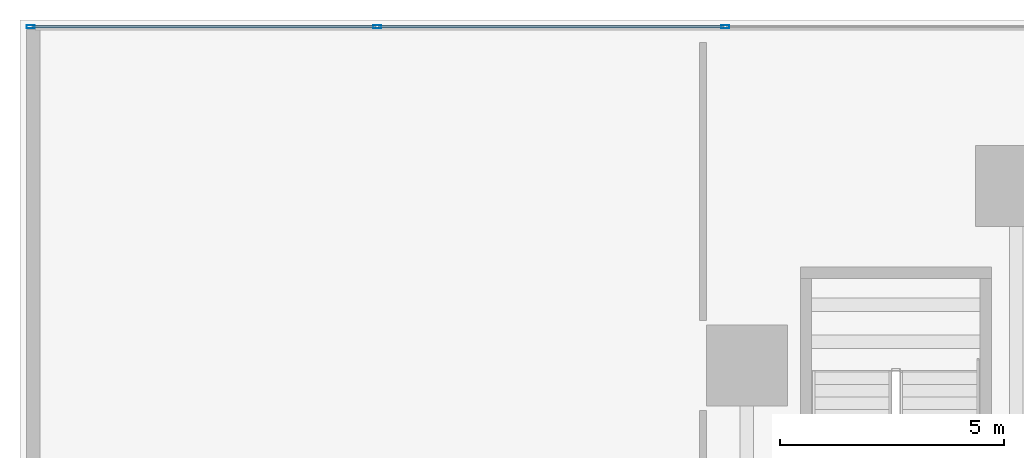
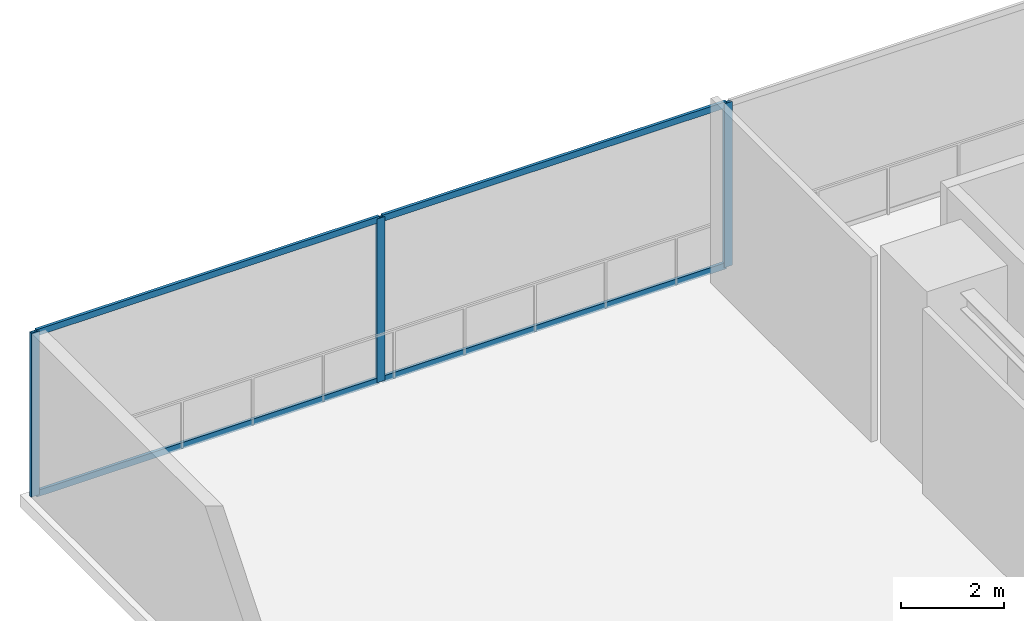
# One storey, part 2 of 17: 7 members, 1 element without a shape of its own.
"""IFC4 building model written with IfcOpenShell, lengths in metres."""

from ifc_helpers import new_model, si_unit, direction, frame, origin, origin_2d, place, context, subcontext, project, spatial, hollow_rectangle, extrude, source, transform, mapped, material, layer, layer_set, material_profile, profile_set, type_object, element, aggregate, save


model = new_model("IFC4")

# Units and contexts
model_context = context("Model", 3, precision=1e-05, world=origin(), true_north=direction((0.0, 1.0)))
body_context = subcontext(model_context, "Body", "Model", "MODEL_VIEW")
ifc_project = project(units=[si_unit("LENGTHUNIT", "METRE"), si_unit("AREAUNIT", "SQUARE_METRE"), si_unit("VOLUMEUNIT", "CUBIC_METRE"), si_unit("PLANEANGLEUNIT", "RADIAN"), si_unit("MASSUNIT", "GRAM", prefix="KILO")], contexts=[model_context])

# Site, building, storey
site_placement = place(None, origin())
site = spatial("IfcSite", under=ifc_project, at=site_placement, CompositionType="ELEMENT")
building_placement = place(site_placement, origin())
building = spatial("IfcBuilding", under=site, at=building_placement, Name="Sumidabori Civic Tower", CompositionType="ELEMENT")
storey_placement = place(building_placement, frame((0.0, 0.0, 5.0)))
storey = spatial("IfcBuildingStorey", under=building, at=storey_placement, Name="L01", CompositionType="ELEMENT", Elevation=5.0)

# Curtain wall, members
ifc_material = material(Name="Anodised Bronze Aluminium AW-6063-T6", Category="aluminium")
ifc_layer = layer(ifc_material, 0.179931640625, Name="Anodised Bronze Aluminium AW-6063-T6")
ifc_layer_set = layer_set([ifc_layer], Name="Anodised Bronze Aluminium AW-6063-T6")
curtain_wall_type = type_object("IfcCurtainWallType", Name="CW-SYS-1", PredefinedType="NOTDEFINED", material=ifc_layer_set)
curtain_wall_placement = place(storey_placement, origin())
curtain_wall = element("IfcCurtainWall", 1, at=curtain_wall_placement, inside=storey, type_object=curtain_wall_type, Name="Curtain Wall CW:L01:NORTH", PredefinedType="NOTDEFINED")
ifc_material_profile_1 = material_profile(ifc_material, hollow_rectangle(XDim=0.070068359375, YDim=0.179931640625, WallThickness=0.006103515625, at=origin_2d()), Name="ALU MULLION 180x70")
ifc_profile_set_1 = profile_set([ifc_material_profile_1], Name="Anodised Bronze Aluminium AW-6063-T6")
member_type_1 = type_object("IfcMemberType", Name="CW-MUL-180", PredefinedType="MULLION", material=ifc_profile_set_1)
shared_shape_1 = source(origin(), body_context, "Body", "SweptSolid", [
    extrude(hollow_rectangle(XDim=0.070068359375, YDim=0.179931640625, WallThickness=0.006103515625, at=origin_2d()), origin(), (0.0, 0.0, 1.0), 3.8701171875),
])
member_1_placement = place(storey_placement, frame((-38.764892578125, 26.35009765625, 0.0), z_axis=(0.0, 0.0, 1.0), x_axis=(0.0, 1.0, 0.0)))
member_1 = element("IfcMember", 2, at=member_1_placement, type_object=member_type_1, Name="CW-1 mullion 1", PredefinedType="MULLION", context=body_context, shape_type="MappedRepresentation", body=[
    mapped(shared_shape_1, transform((0.0, 0.0, 0.0), x_axis=(1.0, 0.0, 0.0), y_axis=(0.0, 1.0, 0.0), z_axis=(0.0, 0.0, 1.0), scale=1.0)),
])
member_2_placement = place(storey_placement, frame((-31.0400390625, 26.35009765625, 0.0), z_axis=(0.0, 0.0, 1.0), x_axis=(0.0, 1.0, 0.0)))
member_2 = element("IfcMember", 3, at=member_2_placement, type_object=member_type_1, Name="CW-1 mullion 2", PredefinedType="MULLION", context=body_context, shape_type="MappedRepresentation", body=[
    mapped(shared_shape_1, transform((0.0, 0.0, 0.0), x_axis=(1.0, 0.0, 0.0), y_axis=(0.0, 1.0, 0.0), z_axis=(0.0, 0.0, 1.0), scale=1.0)),
])
member_3_placement = place(storey_placement, frame((-23.280029296875, 26.35009765625, 0.0), z_axis=(0.0, 0.0, 1.0), x_axis=(0.0, 1.0, 0.0)))
member_3 = element("IfcMember", 4, at=member_3_placement, type_object=member_type_1, Name="CW-1 mullion 3", PredefinedType="MULLION", context=body_context, shape_type="MappedRepresentation", body=[
    mapped(shared_shape_1, transform((0.0, 0.0, 0.0), x_axis=(1.0, 0.0, 0.0), y_axis=(0.0, 1.0, 0.0), z_axis=(0.0, 0.0, 1.0), scale=1.0)),
])
ifc_material_profile_2 = material_profile(ifc_material, hollow_rectangle(XDim=0.06494140625, YDim=0.14990234375, WallThickness=0.0048828125, at=origin_2d()), Name="ALU TRANSOM 150x65")
ifc_profile_set_2 = profile_set([ifc_material_profile_2], Name="Anodised Bronze Aluminium AW-6063-T6")
member_type_2 = type_object("IfcMemberType", Name="CW-TRN-150", PredefinedType="USERDEFINED", material=ifc_profile_set_2)
shared_shape_2 = source(origin(), body_context, "Body", "SweptSolid", [
    extrude(hollow_rectangle(XDim=0.06494140625, YDim=0.14990234375, WallThickness=0.0048828125, at=origin_2d()), origin(), (0.0, 0.0, 1.0), 7.655029296875),
])
member_4_placement = place(storey_placement, frame((-38.72998046875, 26.35009765625, 0.032470703125), z_axis=(1.0, 0.0, 0.0), x_axis=(0.0, 1.0, 0.0)))
member_4 = element("IfcMember", 5, at=member_4_placement, type_object=member_type_2, Name="CW-1 transom 1.1", ObjectType="TRANSOM", PredefinedType="USERDEFINED", context=body_context, shape_type="MappedRepresentation", body=[
    mapped(shared_shape_2, transform((0.0, 0.0, 0.0), x_axis=(1.0, 0.0, 0.0), y_axis=(0.0, 1.0, 0.0), z_axis=(0.0, 0.0, 1.0), scale=1.0)),
])
member_5_placement = place(storey_placement, frame((-38.72998046875, 26.35009765625, 3.83740234375), z_axis=(1.0, 0.0, 0.0), x_axis=(0.0, 1.0, 0.0)))
member_5 = element("IfcMember", 6, at=member_5_placement, type_object=member_type_2, Name="CW-1 transom 1.2", ObjectType="TRANSOM", PredefinedType="USERDEFINED", context=body_context, shape_type="MappedRepresentation", body=[
    mapped(shared_shape_2, transform((0.0, 0.0, 0.0), x_axis=(1.0, 0.0, 0.0), y_axis=(0.0, 1.0, 0.0), z_axis=(0.0, 0.0, 1.0), scale=1.0)),
])
shared_shape_3 = source(origin(), body_context, "Body", "SweptSolid", [
    extrude(hollow_rectangle(XDim=0.06494140625, YDim=0.14990234375, WallThickness=0.0048828125, at=origin_2d()), origin(), (0.0, 0.0, 1.0), 7.68994140625),
])
member_6_placement = place(storey_placement, frame((-31.0048828125, 26.35009765625, 0.032470703125), z_axis=(1.0, 0.0, 0.0), x_axis=(0.0, 1.0, 0.0)))
member_6 = element("IfcMember", 7, at=member_6_placement, type_object=member_type_2, Name="CW-1 transom 2.1", ObjectType="TRANSOM", PredefinedType="USERDEFINED", context=body_context, shape_type="MappedRepresentation", body=[
    mapped(shared_shape_3, transform((0.0, 0.0, 0.0), x_axis=(1.0, 0.0, 0.0), y_axis=(0.0, 1.0, 0.0), z_axis=(0.0, 0.0, 1.0), scale=1.0)),
])
member_7_placement = place(storey_placement, frame((-31.0048828125, 26.35009765625, 3.83740234375), z_axis=(1.0, 0.0, 0.0), x_axis=(0.0, 1.0, 0.0)))
member_7 = element("IfcMember", 8, at=member_7_placement, type_object=member_type_2, Name="CW-1 transom 2.2", ObjectType="TRANSOM", PredefinedType="USERDEFINED", context=body_context, shape_type="MappedRepresentation", body=[
    mapped(shared_shape_3, transform((0.0, 0.0, 0.0), x_axis=(1.0, 0.0, 0.0), y_axis=(0.0, 1.0, 0.0), z_axis=(0.0, 0.0, 1.0), scale=1.0)),
])
aggregate(curtain_wall, [member_1, member_2, member_3, member_4, member_5, member_6, member_7])

save(model, "model.ifc")
